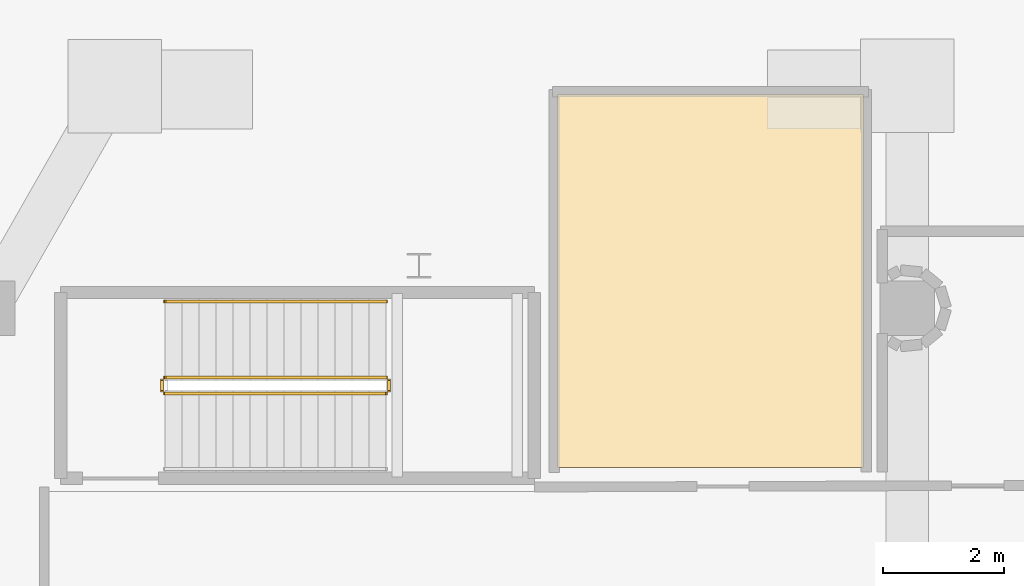
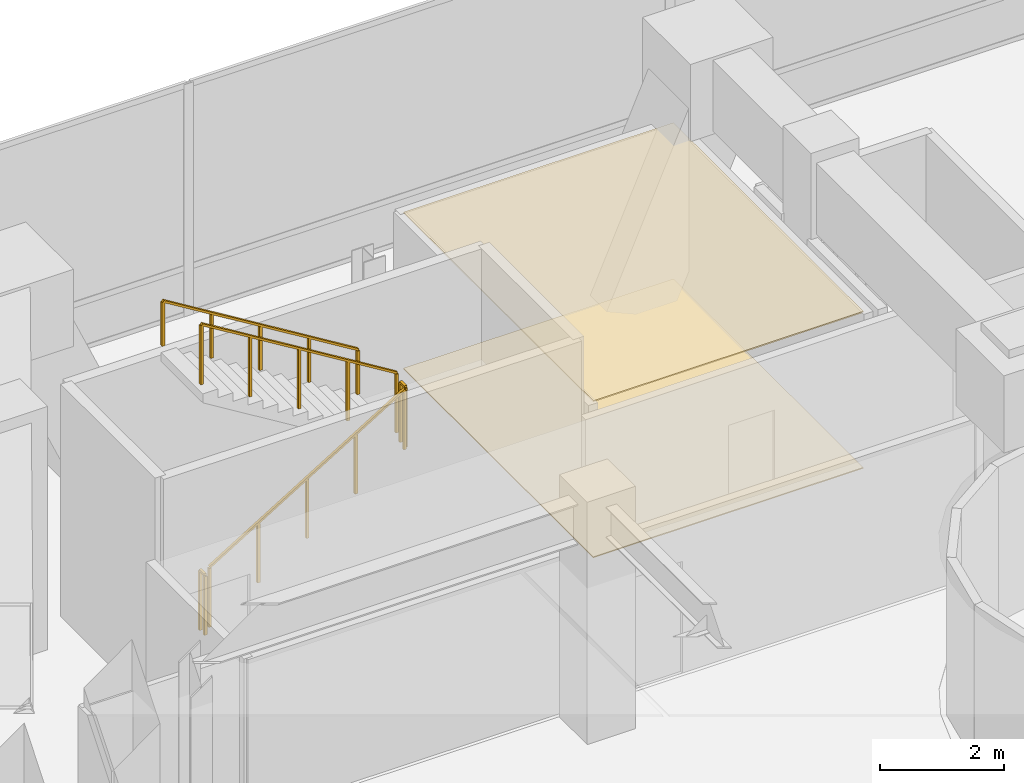
# One storey, part 44 of 45: 5 railings, 2 coverings.
"""IFC4 building model written with IfcOpenShell, lengths in metres."""

from ifc_helpers import new_model, si_unit, direction, frame, origin, origin_2d, place, context, subcontext, project, spatial, polyline, rectangle, outline, extrude, material, layer, layer_set, type_object, element, save


model = new_model("IFC4")

# Units and contexts
model_context = context("Model", 3, precision=1e-05, world=origin(), true_north=direction((0.0, 1.0)))
body_context = subcontext(model_context, "Body", "Model", "MODEL_VIEW")
ifc_project = project(units=[si_unit("LENGTHUNIT", "METRE"), si_unit("AREAUNIT", "SQUARE_METRE"), si_unit("VOLUMEUNIT", "CUBIC_METRE"), si_unit("PLANEANGLEUNIT", "RADIAN"), si_unit("MASSUNIT", "GRAM", prefix="KILO")], contexts=[model_context])

# Site, building, storey
site_placement = place(None, origin())
site = spatial("IfcSite", under=ifc_project, at=site_placement, CompositionType="ELEMENT")
building_placement = place(site_placement, origin())
building = spatial("IfcBuilding", under=site, at=building_placement, Name="Qianvela Tower", CompositionType="ELEMENT")
storey_placement = place(building_placement, frame((0.0, 0.0, 11.0)))
storey = spatial("IfcBuildingStorey", under=building, at=storey_placement, Name="L02", CompositionType="ELEMENT", Elevation=11.0)

# Coverings
ifc_material_1 = material(Name="Perforated Mineral Acoustic Ceiling Tile")
ifc_layer_1 = layer(ifc_material_1, 0.02490234375)
ifc_layer_set_1 = layer_set([ifc_layer_1], Name="Perforated Mineral Acoustic Ceiling Tile")
covering_type_1 = type_object("IfcCoveringType", Name="COV-CEIL-ACOUSTIC-25", PredefinedType="CEILING", material=ifc_layer_set_1)
covering_1_placement = place(storey_placement, frame((0.0, 0.0, 3.074951171875)))
element("IfcCovering", 1, at=covering_1_placement, inside=storey, type_object=covering_type_1, Name="L02 Acoustic Ceiling L02 Public Washrooms", PredefinedType="CEILING", context=body_context, shape_type="SweptSolid", body=[
    extrude(outline(polyline([(22.320068359375, 41.280029296875), (17.280029296875, 41.280029296875), (17.280029296875, 47.419921875), (22.320068359375, 47.419921875), (22.320068359375, 41.280029296875)])), origin(), (0.0, 0.0, 1.0), 0.025146484375),
])
ifc_material_2 = material(Name="Engineered Acoustic Oak Timber Flooring", Category="wood")
ifc_layer_2 = layer(ifc_material_2, 0.02001953125)
ifc_layer_set_2 = layer_set([ifc_layer_2], Name="Engineered Acoustic Oak Timber Flooring")
covering_type_2 = type_object("IfcCoveringType", Name="COV-FLOOR-OAK-20", PredefinedType="FLOORING", material=ifc_layer_set_2)
covering_2_placement = place(storey_placement, origin())
element("IfcCovering", 2, at=covering_2_placement, inside=storey, type_object=covering_type_2, Name="L02 Finish Flooring L02 Public Washrooms", PredefinedType="FLOORING", context=body_context, shape_type="SweptSolid", body=[
    extrude(outline(polyline([(22.320068359375, 41.280029296875), (17.280029296875, 41.280029296875), (17.280029296875, 47.419921875), (22.320068359375, 47.419921875), (22.320068359375, 41.280029296875)])), origin(), (0.0, 0.0, 1.0), 0.02001953125),
])

# Railings
ifc_material_3 = material(Name="Painted Tubular Steel Q355B", Category="steel")
railing_type_1 = type_object("IfcRailingType", Name="RL-STAIR-GUARD-1200", PredefinedType="GUARDRAIL", material=ifc_material_3)
railing_1_placement = place(storey_placement, frame((10.820068359375, 42.5, 0.17138671875)))
element("IfcRailing", 3, at=railing_1_placement, inside=storey, type_object=railing_type_1, Name="L02 ST-3 stair guard 1", PredefinedType="GUARDRAIL", context=body_context, shape_type="SweptSolid", body=[
    extrude(rectangle(XDim=0.050048828125, YDim=0.0400390625, at=origin_2d()), frame((0.0, 0.0, 1.179931640625), z_axis=(0.852850264322, 0.0, 0.5221555579), x_axis=(0.0, 1.0, 0.0)), (0.0, 0.0, 1.0), 4.267822265625),
    extrude(rectangle(XDim=0.050048828125, YDim=0.050048828125, at=origin_2d()), origin(), (0.0, 0.0, 1.0), 1.159912109375),
    extrude(rectangle(XDim=0.050048828125, YDim=0.050048828125, at=origin_2d()), frame((0.909912109375, 0.0, 0.55712890625)), (0.0, 0.0, 1.0), 1.159912109375),
    extrude(rectangle(XDim=0.050048828125, YDim=0.050048828125, at=origin_2d()), frame((1.81982421875, 0.0, 1.1142578125)), (0.0, 0.0, 1.0), 1.159912109375),
    extrude(rectangle(XDim=0.050048828125, YDim=0.050048828125, at=origin_2d()), frame((2.72998046875, 0.0, 1.67138671875)), (0.0, 0.0, 1.0), 1.159912109375),
    extrude(rectangle(XDim=0.050048828125, YDim=0.050048828125, at=origin_2d()), frame((3.639892578125, 0.0, 2.228515625)), (0.0, 0.0, 1.0), 1.159912109375),
])
railing_2_placement = place(storey_placement, frame((14.510009765625, 42.550048828125, 2.39990234375)))
element("IfcRailing", 4, at=railing_2_placement, inside=storey, type_object=railing_type_1, Name="L02 ST-3 stair guard 2", PredefinedType="GUARDRAIL", context=body_context, shape_type="SweptSolid", body=[
    extrude(rectangle(XDim=0.050048828125, YDim=0.0400390625, at=origin_2d()), frame((0.0, 0.0, 1.179931640625), z_axis=(0.0, 1.0, 0.0), x_axis=(-1.0, 0.0, 0.0)), (0.0, 0.0, 1.0), 0.159912109375),
    extrude(rectangle(XDim=0.050048828125, YDim=0.050048828125, at=origin_2d()), origin(), (0.0, 0.0, 1.0), 1.159912109375),
    extrude(rectangle(XDim=0.050048828125, YDim=0.050048828125, at=origin_2d()), frame((0.0, 0.159912109375, 0.0)), (0.0, 0.0, 1.0), 1.159912109375),
])
railing_3_placement = place(storey_placement, frame((14.4599609375, 42.760009765625, 2.571533203125)))
element("IfcRailing", 5, at=railing_3_placement, inside=storey, type_object=railing_type_1, Name="L02 ST-3 stair guard 3", PredefinedType="GUARDRAIL", context=body_context, shape_type="SweptSolid", body=[
    extrude(rectangle(XDim=0.050048828125, YDim=0.0400390625, at=origin_2d()), frame((0.0, 0.0, 1.179931640625), z_axis=(-0.852850264322, 0.0, 0.5221555579), x_axis=(0.0, -1.0, 0.0)), (0.0, 0.0, 1.0), 4.267822265625),
    extrude(rectangle(XDim=0.050048828125, YDim=0.050048828125, at=origin_2d()), origin(), (0.0, 0.0, 1.0), 1.159912109375),
    extrude(rectangle(XDim=0.050048828125, YDim=0.050048828125, at=origin_2d()), frame((-0.909912109375, 0.0, 0.55712890625)), (0.0, 0.0, 1.0), 1.159912109375),
    extrude(rectangle(XDim=0.050048828125, YDim=0.050048828125, at=origin_2d()), frame((-1.81982421875, 0.0, 1.1142578125)), (0.0, 0.0, 1.0), 1.159912109375),
    extrude(rectangle(XDim=0.050048828125, YDim=0.050048828125, at=origin_2d()), frame((-2.72998046875, 0.0, 1.67138671875)), (0.0, 0.0, 1.0), 1.159912109375),
    extrude(rectangle(XDim=0.050048828125, YDim=0.050048828125, at=origin_2d()), frame((-3.639892578125, 0.0, 2.228515625)), (0.0, 0.0, 1.0), 1.159912109375),
])
railing_4_placement = place(storey_placement, frame((10.77001953125, 42.550048828125, 0.0)))
element("IfcRailing", 6, at=railing_4_placement, inside=storey, type_object=railing_type_1, Name="L02 ST-3 stair guard 4", PredefinedType="GUARDRAIL", context=body_context, shape_type="SweptSolid", body=[
    extrude(rectangle(XDim=0.050048828125, YDim=0.0400390625, at=origin_2d()), frame((0.0, 0.0, 1.179931640625), z_axis=(0.0, 1.0, 0.0), x_axis=(-1.0, 0.0, 0.0)), (0.0, 0.0, 1.0), 0.159912109375),
    extrude(rectangle(XDim=0.050048828125, YDim=0.050048828125, at=origin_2d()), origin(), (0.0, 0.0, 1.0), 1.159912109375),
    extrude(rectangle(XDim=0.050048828125, YDim=0.050048828125, at=origin_2d()), frame((0.0, 0.159912109375, 0.0)), (0.0, 0.0, 1.0), 1.159912109375),
])
ifc_material_4 = material(Name="Brushed Stainless Steel 304", Category="steel")
railing_type_2 = type_object("IfcRailingType", Name="RL-STAIR-HANDRAIL-900", PredefinedType="HANDRAIL", material=ifc_material_4)
railing_5_placement = place(storey_placement, frame((14.4599609375, 44.010009765625, 2.571533203125)))
element("IfcRailing", 7, at=railing_5_placement, inside=storey, type_object=railing_type_2, Name="L02 ST-3 stair handrail 2", PredefinedType="HANDRAIL", context=body_context, shape_type="SweptSolid", body=[
    extrude(rectangle(XDim=0.050048828125, YDim=0.0400390625, at=origin_2d()), frame((0.0, 0.0, 0.8798828125), z_axis=(-0.852850264322, 0.0, 0.5221555579), x_axis=(0.0, -1.0, 0.0)), (0.0, 0.0, 1.0), 4.267822265625),
    extrude(rectangle(XDim=0.050048828125, YDim=0.050048828125, at=origin_2d()), origin(), (0.0, 0.0, 1.0), 0.85986328125),
    extrude(rectangle(XDim=0.050048828125, YDim=0.050048828125, at=origin_2d()), frame((-0.909912109375, 0.0, 0.55712890625)), (0.0, 0.0, 1.0), 0.85986328125),
    extrude(rectangle(XDim=0.050048828125, YDim=0.050048828125, at=origin_2d()), frame((-1.81982421875, 0.0, 1.1142578125)), (0.0, 0.0, 1.0), 0.85986328125),
    extrude(rectangle(XDim=0.050048828125, YDim=0.050048828125, at=origin_2d()), frame((-2.72998046875, 0.0, 1.67138671875)), (0.0, 0.0, 1.0), 0.85986328125),
    extrude(rectangle(XDim=0.050048828125, YDim=0.050048828125, at=origin_2d()), frame((-3.639892578125, 0.0, 2.228515625)), (0.0, 0.0, 1.0), 0.85986328125),
])

save(model, "model.ifc")
